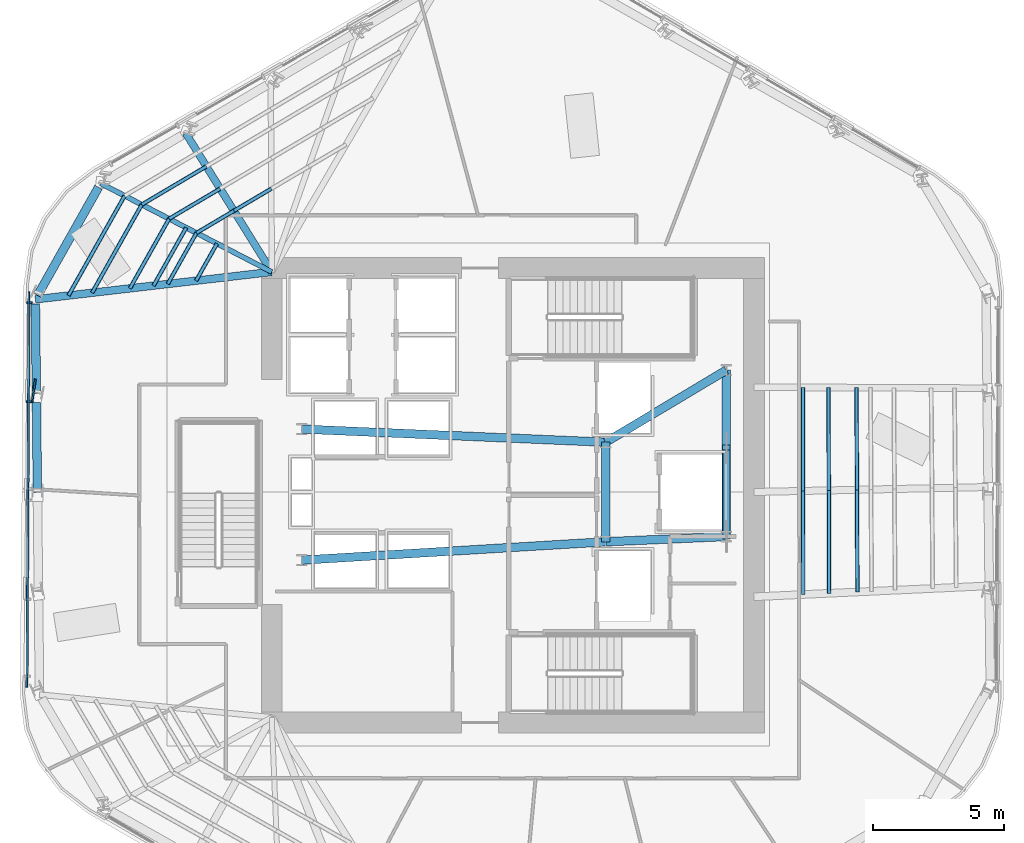
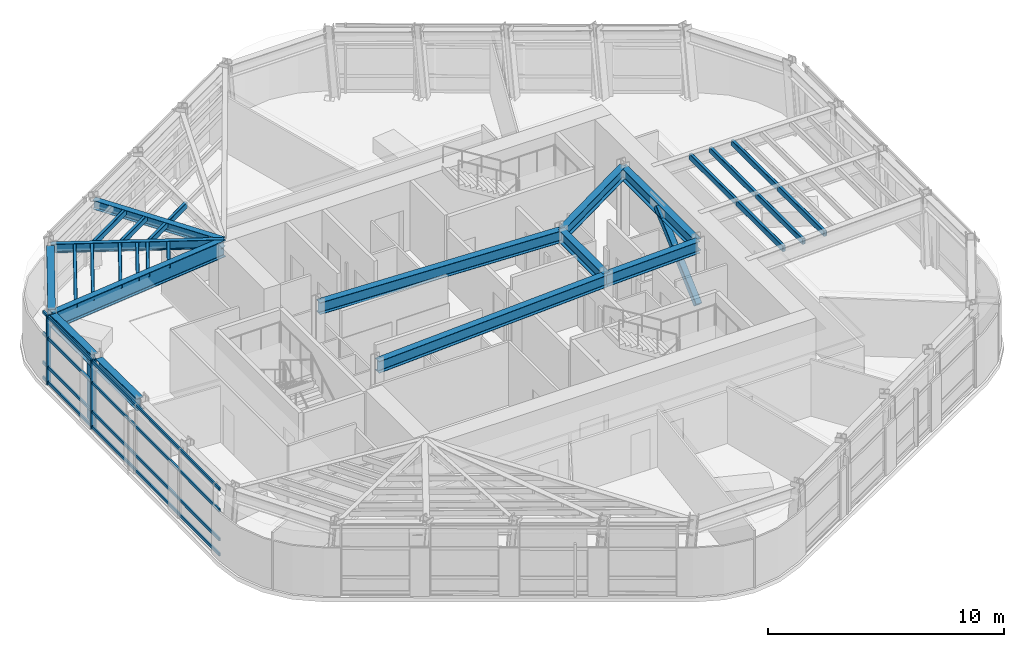
# One storey, part 4 of 16: 24 members, 12 beams, 1 element without a shape of its own.
"""IFC4 building model written with IfcOpenShell, lengths in metres."""

from ifc_helpers import new_model, si_unit, direction, frame, origin, origin_2d, place, context, subcontext, project, spatial, rectangle, hollow_rectangle, i_section, extrude, material, layer, layer_set, material_profile, profile_set, type_object, element, aggregate, save


model = new_model("IFC4")

# Units and contexts
model_context = context("Model", 3, precision=1e-05, world=origin(), true_north=direction((0.0, 1.0)))
body_context = subcontext(model_context, "Body", "Model", "MODEL_VIEW")
ifc_project = project(units=[si_unit("LENGTHUNIT", "METRE"), si_unit("AREAUNIT", "SQUARE_METRE"), si_unit("VOLUMEUNIT", "CUBIC_METRE"), si_unit("PLANEANGLEUNIT", "RADIAN"), si_unit("MASSUNIT", "GRAM", prefix="KILO")], contexts=[model_context])

# Site, building, storey
site_placement = place(None, origin())
site = spatial("IfcSite", under=ifc_project, at=site_placement, CompositionType="ELEMENT")
building_placement = place(site_placement, origin())
building = spatial("IfcBuilding", under=site, at=building_placement, Name="Valkerne Bourse Tower", CompositionType="ELEMENT")
storey_placement = place(building_placement, frame((0.0, 0.0, 151.39990234375)))
storey = spatial("IfcBuildingStorey", under=building, at=storey_placement, Name="L38", CompositionType="ELEMENT", Elevation=151.39990234375)

# Beams
ifc_material_1 = material(Name="Steel ASTM A992", Category="steel")
ifc_material_profile_1 = material_profile(ifc_material_1, i_section(OverallWidth=0.1904296875, OverallDepth=0.457275390625, WebThickness=0.009033203125, FlangeThickness=0.014404296875, FilletRadius=0.01513671875, at=origin_2d()), Name="W18X50")
ifc_profile_set_1 = profile_set([ifc_material_profile_1], Name="Steel ASTM A992")
beam_type_1 = type_object("IfcBeamType", Name="BM-W18X50", PredefinedType="JOIST", material=ifc_profile_set_1)
beam_1_placement = place(storey_placement, frame((31.072509765625, 38.777587890625, 3.3515625), z_axis=(0.88814284472, -0.459567500344, 0.0), x_axis=(0.459567500344, 0.88814284472, 0.0)))
element("IfcBeam", 1, at=beam_1_placement, inside=storey, type_object=beam_type_1, Name="L38 Radial Composite Floor Beam 09", PredefinedType="JOIST", context=body_context, shape_type="SweptSolid", body=[
    extrude(i_section(OverallWidth=0.1904296875, OverallDepth=0.457275390625, WebThickness=0.009033203125, FlangeThickness=0.014404296875, FilletRadius=0.01513671875, at=origin_2d()), origin(), (0.0, 0.0, 1.0), 7.349609375),
])
ifc_material_profile_2 = material_profile(ifc_material_1, i_section(OverallWidth=0.279296875, OverallDepth=0.46240234375, WebThickness=0.0107421875, FlangeThickness=0.017333984375, FilletRadius=0.017822265625, at=origin_2d()), Name="W18X76")
ifc_profile_set_2 = profile_set([ifc_material_profile_2], Name="Steel ASTM A992")
beam_type_2 = type_object("IfcBeamType", Name="BM-W18X76", PredefinedType="BEAM", material=ifc_profile_set_2)
beam_2_placement = place(storey_placement, frame((34.318603515625, 40.697021484375, 3.348876953125), z_axis=(0.526624355119, -0.850098105277, 0.0), x_axis=(0.850098105277, 0.526624355119, 0.0)))
element("IfcBeam", 2, at=beam_2_placement, inside=storey, type_object=beam_type_2, Name="L38 Radial Composite Floor Beam 08", PredefinedType="BEAM", context=body_context, shape_type="SweptSolid", body=[
    extrude(i_section(OverallWidth=0.279296875, OverallDepth=0.46240234375, WebThickness=0.0107421875, FlangeThickness=0.017333984375, FilletRadius=0.017822265625, at=origin_2d()), origin(), (0.0, 0.0, 1.0), 6.231201171875),
])
ifc_material_profile_3 = material_profile(ifc_material_1, i_section(OverallWidth=0.3251953125, OverallDepth=0.612060546875, WebThickness=0.0126953125, FlangeThickness=0.01904296875, FilletRadius=0.020263671875, at=origin_2d()), Name="W24X104")
ifc_profile_set_3 = profile_set([ifc_material_profile_3], Name="Steel ASTM A992")
beam_type_3 = type_object("IfcBeamType", Name="BM-W24X104", PredefinedType="BEAM", material=ifc_profile_set_3)
beam_3_placement = place(storey_placement, frame((50.35009765625, 25.10009765625, 3.27392578125), z_axis=(0.0, 1.0, 0.0), x_axis=(-1.0, 0.0, 0.0)))
element("IfcBeam", 3, at=beam_3_placement, inside=storey, type_object=beam_type_3, Name="L38 Core Frame Girder CG-CE", PredefinedType="BEAM", context=body_context, shape_type="SweptSolid", body=[
    extrude(i_section(OverallWidth=0.3251953125, OverallDepth=0.612060546875, WebThickness=0.0126953125, FlangeThickness=0.01904296875, FilletRadius=0.020263671875, at=origin_2d()), origin(), (0.0, 0.0, 1.0), 3.7998046875),
])
beam_4_placement = place(storey_placement, frame((50.35009765625, 25.10009765625, 3.27392578125), z_axis=(0.999056558506, 0.043428019819, 0.0), x_axis=(-0.043428019819, 0.999056558506, 0.0)))
element("IfcBeam", 4, at=beam_4_placement, inside=storey, type_object=beam_type_3, Name="L38 Core Frame Girder CG-SE", PredefinedType="BEAM", context=body_context, shape_type="SweptSolid", body=[
    extrude(i_section(OverallWidth=0.3251953125, OverallDepth=0.612060546875, WebThickness=0.0126953125, FlangeThickness=0.01904296875, FilletRadius=0.020263671875, at=origin_2d()), origin(), (0.0, 0.0, 1.0), 4.604248046875),
])
beam_5_placement = place(storey_placement, frame((50.35009765625, 28.89990234375, 3.27392578125), z_axis=(0.858307823492, 0.513135148019, 0.0), x_axis=(-0.513135148019, 0.858307823492, 0.0)))
element("IfcBeam", 5, at=beam_5_placement, inside=storey, type_object=beam_type_3, Name="L38 Core Frame Girder CG-NE", PredefinedType="BEAM", context=body_context, shape_type="SweptSolid", body=[
    extrude(i_section(OverallWidth=0.3251953125, OverallDepth=0.612060546875, WebThickness=0.0126953125, FlangeThickness=0.01904296875, FilletRadius=0.020263671875, at=origin_2d()), origin(), (0.0, 0.0, 1.0), 5.359130859375),
])
beam_6_placement = place(storey_placement, frame((54.949951171875, 25.300048828125, 3.27392578125), z_axis=(0.0, 1.0, 0.0), x_axis=(-1.0, 0.0, 0.0)))
element("IfcBeam", 6, at=beam_6_placement, inside=storey, type_object=beam_type_3, Name="L38 Core Frame Girder CG-EE", PredefinedType="BEAM", context=body_context, shape_type="SweptSolid", body=[
    extrude(i_section(OverallWidth=0.3251953125, OverallDepth=0.612060546875, WebThickness=0.0126953125, FlangeThickness=0.01904296875, FilletRadius=0.020263671875, at=origin_2d()), origin(), (0.0, 0.0, 1.0), 6.349853515625),
])
beam_7_placement = place(storey_placement, frame((38.75, 24.39990234375, 3.27392578125), z_axis=(0.998183228389, 0.060251494276, 0.0), x_axis=(-0.060251494276, 0.998183228389, 0.0)))
element("IfcBeam", 7, at=beam_7_placement, inside=storey, type_object=beam_type_3, Name="L38 Core Frame Girder CG-SW", PredefinedType="BEAM", context=body_context, shape_type="SweptSolid", body=[
    extrude(i_section(OverallWidth=0.3251953125, OverallDepth=0.612060546875, WebThickness=0.0126953125, FlangeThickness=0.01904296875, FilletRadius=0.020263671875, at=origin_2d()), origin(), (0.0, 0.0, 1.0), 11.62109375),
])
beam_8_placement = place(storey_placement, frame((38.75, 29.39990234375, 3.27392578125), z_axis=(0.999072354402, -0.043063101019, 0.0), x_axis=(0.043063101019, 0.999072354402, 0.0)))
element("IfcBeam", 8, at=beam_8_placement, inside=storey, type_object=beam_type_3, Name="L38 Core Frame Girder CG-NW", PredefinedType="BEAM", context=body_context, shape_type="SweptSolid", body=[
    extrude(i_section(OverallWidth=0.3251953125, OverallDepth=0.612060546875, WebThickness=0.0126953125, FlangeThickness=0.01904296875, FilletRadius=0.020263671875, at=origin_2d()), origin(), (0.0, 0.0, 1.0), 11.61083984375),
])
ifc_material_profile_4 = material_profile(ifc_material_1, i_section(OverallWidth=0.32763671875, OverallDepth=0.62744140625, WebThickness=0.0166015625, FlangeThickness=0.027587890625, FilletRadius=0.020263671875, at=origin_2d()), Name="W24X146")
ifc_profile_set_4 = profile_set([ifc_material_profile_4], Name="Steel ASTM A992")
beam_type_4 = type_object("IfcBeamType", Name="BM-W24X146", PredefinedType="SPANDREL", material=ifc_profile_set_4)
beam_9_placement = place(storey_placement, frame((30.989013671875, 38.62939453125, 3.266357421875), z_axis=(-0.490860253892, -0.871238320524, 0.0), x_axis=(0.871238320524, -0.490860253892, 0.0)))
element("IfcBeam", 9, at=beam_9_placement, inside=storey, type_object=beam_type_4, Name="L38 Hexagonal Spandrel Ring Beam 09", PredefinedType="SPANDREL", context=body_context, shape_type="SweptSolid", body=[
    extrude(i_section(OverallWidth=0.32763671875, OverallDepth=0.62744140625, WebThickness=0.0166015625, FlangeThickness=0.027587890625, FilletRadius=0.020263671875, at=origin_2d()), origin(), (0.0, 0.0, 1.0), 4.739990234375),
])
for number, where, z_axis, x_axis, name in (
    (10, (28.58056640625, 34.181640625, 3.266357421875), (0.010459827673, -0.999945294506, 0.0), (0.999945294506, 0.010459827673, 0.0), "L38 Hexagonal Spandrel Ring Beam 10"),
    (11, (28.6201171875, 30.410888671875, 3.266357421875), (0.010459827673, -0.999945294506, 0.0), (0.999945294506, 0.010459827673, 0.0), "L38 Hexagonal Spandrel Ring Beam 11"),
):
    element("IfcBeam", number, at=place(storey_placement, frame(where, z_axis=z_axis, x_axis=x_axis)), inside=storey, type_object=beam_type_4, Name=name, PredefinedType="SPANDREL", context=body_context, shape_type="SweptSolid", body=[
        extrude(i_section(OverallWidth=0.32763671875, OverallDepth=0.62744140625, WebThickness=0.0166015625, FlangeThickness=0.027587890625, FilletRadius=0.020263671875, at=origin_2d()), origin(), (0.0, 0.0, 1.0), 3.43115234375),
    ])
ifc_material_profile_5 = material_profile(ifc_material_1, i_section(OverallWidth=0.2919921875, OverallDepth=0.8583984375, WebThickness=0.01708984375, FlangeThickness=0.031005859375, FilletRadius=0.025390625, at=origin_2d()), Name="W33X169")
ifc_profile_set_5 = profile_set([ifc_material_profile_5], Name="Steel ASTM A992")
beam_type_5 = type_object("IfcBeamType", Name="BM-W33X169", PredefinedType="BEAM", material=ifc_profile_set_5)
beam_10_placement = place(storey_placement, frame((28.578857421875, 34.3515625, 3.15087890625), z_axis=(0.99331548261, 0.115431157001, 0.0), x_axis=(-0.115431157001, 0.99331548261, 0.0)))
element("IfcBeam", 12, at=beam_10_placement, inside=storey, type_object=beam_type_5, Name="L38 Radial Composite Floor Beam 10", PredefinedType="BEAM", context=body_context, shape_type="SweptSolid", body=[
    extrude(i_section(OverallWidth=0.2919921875, OverallDepth=0.8583984375, WebThickness=0.01708984375, FlangeThickness=0.031005859375, FilletRadius=0.025390625, at=origin_2d()), origin(), (0.0, 0.0, 1.0), 9.08203125),
])

# Curtain wall, members
ifc_material_2 = material(Name="Aluminium AA 6063-T6", Category="aluminium")
ifc_layer = layer(ifc_material_2, 0.235107421875)
ifc_layer_set = layer_set([ifc_layer], Name="Aluminium AA 6063-T6")
curtain_wall_type = type_object("IfcCurtainWallType", Name="CW-03", PredefinedType="NOTDEFINED", material=ifc_layer_set)
curtain_wall_placement = place(storey_placement, origin())
curtain_wall = element("IfcCurtainWall", 13, at=curtain_wall_placement, inside=storey, type_object=curtain_wall_type, Name="L38 Hexagonal Stick Curtain Wall Face 3", PredefinedType="NOTDEFINED")
ifc_material_profile_6 = material_profile(ifc_material_2, rectangle(XDim=0.074951171875, YDim=0.199951171875, at=origin_2d()), Name="CWM-75X200")
ifc_profile_set_6 = profile_set([ifc_material_profile_6], Name="Aluminium AA 6063-T6")
member_type_1 = type_object("IfcMemberType", Name="CW-MUL-220X75", PredefinedType="MULLION", material=ifc_profile_set_6)
member_1_placement = place(storey_placement, frame((28.354248046875, 34.21875, 0.0), z_axis=(0.0, 0.0, 1.0), x_axis=(-0.005224007215, -0.999986354781, 0.0)))
member_1 = element("IfcMember", 14, at=member_1_placement, type_object=member_type_1, Name="CW-L38-F3 Jamb Mullion 00A", PredefinedType="MULLION", context=body_context, shape_type="SweptSolid", body=[
    extrude(rectangle(XDim=0.074951171875, YDim=0.199951171875, at=origin_2d()), origin(), (0.0, 0.0, 1.0), 3.580078125),
])
member_2_placement = place(storey_placement, frame((28.334716796875, 30.44775390625, 0.0), z_axis=(0.0, 0.0, 1.0), x_axis=(-0.005250663525, -0.999986215171, 0.0)))
member_2 = element("IfcMember", 15, at=member_2_placement, type_object=member_type_1, Name="CW-L38-F3 Jamb Mullion 01A", PredefinedType="MULLION", context=body_context, shape_type="SweptSolid", body=[
    extrude(rectangle(XDim=0.074951171875, YDim=0.199951171875, at=origin_2d()), origin(), (0.0, 0.0, 1.0), 3.580078125),
])
ifc_material_profile_7 = material_profile(ifc_material_2, rectangle(XDim=0.074951171875, YDim=0.14990234375, at=origin_2d()), Name="CWT-75X150")
ifc_profile_set_7 = profile_set([ifc_material_profile_7], Name="Aluminium AA 6063-T6")
member_type_2 = type_object("IfcMemberType", Name="CW-TRN-180X65", PredefinedType="USERDEFINED", material=ifc_profile_set_7)
member_3_placement = place(storey_placement, frame((28.33642578125, 34.638916015625, 0.1201171875), z_axis=(-0.005227819276, -0.999986334859, 0.0), x_axis=(0.999986334859, -0.005227819276, 0.0)))
member_3 = element("IfcMember", 16, at=member_3_placement, type_object=member_type_2, Name="CW-L38-F3 Continuous Face Transom 1", ObjectType="TRANSOM", PredefinedType="USERDEFINED", context=body_context, shape_type="SweptSolid", body=[
    extrude(rectangle(XDim=0.074951171875, YDim=0.14990234375, at=origin_2d()), origin(), (0.0, 0.0, 1.0), 15.084228515625),
])
member_4_placement = place(storey_placement, frame((28.33642578125, 34.638916015625, 0.900146484375), z_axis=(-0.005227819276, -0.999986334859, 0.0), x_axis=(0.999986334859, -0.005227819276, 0.0)))
member_4 = element("IfcMember", 17, at=member_4_placement, type_object=member_type_2, Name="CW-L38-F3 Continuous Face Transom 2", ObjectType="TRANSOM", PredefinedType="USERDEFINED", context=body_context, shape_type="SweptSolid", body=[
    extrude(rectangle(XDim=0.074951171875, YDim=0.14990234375, at=origin_2d()), origin(), (0.0, 0.0, 1.0), 15.084228515625),
])
member_5_placement = place(storey_placement, frame((28.33642578125, 34.638916015625, 2.400146484375), z_axis=(-0.005227819276, -0.999986334859, 0.0), x_axis=(0.999986334859, -0.005227819276, 0.0)))
member_5 = element("IfcMember", 18, at=member_5_placement, type_object=member_type_2, Name="CW-L38-F3 Continuous Face Transom 3", ObjectType="TRANSOM", PredefinedType="USERDEFINED", context=body_context, shape_type="SweptSolid", body=[
    extrude(rectangle(XDim=0.074951171875, YDim=0.14990234375, at=origin_2d()), origin(), (0.0, 0.0, 1.0), 15.084228515625),
])
member_6_placement = place(storey_placement, frame((28.33642578125, 34.638916015625, 3.5), z_axis=(-0.005227819276, -0.999986334859, 0.0), x_axis=(0.999986334859, -0.005227819276, 0.0)))
member_6 = element("IfcMember", 19, at=member_6_placement, type_object=member_type_2, Name="CW-L38-F3 Continuous Face Transom 4", ObjectType="TRANSOM", PredefinedType="USERDEFINED", context=body_context, shape_type="SweptSolid", body=[
    extrude(rectangle(XDim=0.074951171875, YDim=0.14990234375, at=origin_2d()), origin(), (0.0, 0.0, 1.0), 15.084228515625),
])
aggregate(curtain_wall, [member_3, member_4, member_5, member_6, member_1, member_2])

# Members
ifc_material_3 = material(Name="Bronze Anodised Aluminium AA 6063-T6", Category="aluminium")
ifc_material_profile_8 = material_profile(ifc_material_3, rectangle(XDim=0.070068359375, YDim=0.89990234375, at=origin_2d()), Name="FIN-70X900")
ifc_profile_set_8 = profile_set([ifc_material_profile_8], Name="Bronze Anodised Aluminium AA 6063-T6")
member_type_3 = type_object("IfcMemberType", Name="FIN-SOLAR-900", PredefinedType="USERDEFINED", material=ifc_profile_set_8)
member_7_placement = place(storey_placement, frame((28.516845703125, 30.86669921875, 0.004150390625), z_axis=(0.0, 0.0, 1.0), x_axis=(-0.990298811349, 0.138954180364, 0.0)))
element("IfcMember", 20, at=member_7_placement, inside=storey, type_object=member_type_3, Name="L38 Bronze Anodised Solar Fin F3-01", ObjectType="SOLAR_FIN", PredefinedType="USERDEFINED", context=body_context, shape_type="SweptSolid", body=[
    extrude(rectangle(XDim=0.070068359375, YDim=0.89990234375, at=origin_2d()), origin(), (0.0, 0.0, 1.0), 3.572021484375),
])
ifc_material_4 = material(Name="Steel ASTM A500 Grade C", Category="steel")
ifc_material_profile_9 = material_profile(ifc_material_4, hollow_rectangle(XDim=0.14990234375, YDim=0.300048828125, WallThickness=0.012451171875, OuterFilletRadius=0.02490234375, at=origin_2d()), Name="HSS300X150X12.5")
ifc_profile_set_9 = profile_set([ifc_material_profile_9], Name="Steel ASTM A500 Grade C")
member_type_4 = type_object("IfcMemberType", Name="MBR-HSS300X150X12.5", PredefinedType="PURLIN", material=ifc_profile_set_9)
member_8_placement = place(storey_placement, frame((35.51123046875, 36.480712890625, 3.420166015625), z_axis=(-0.490938461362, -0.871194253399, 0.0), x_axis=(0.871194253399, -0.490938461362, 0.0)))
element("IfcMember", 21, at=member_8_placement, inside=storey, type_object=member_type_4, Name="L38 Secondary Composite Floor Purlin I-09", PredefinedType="PURLIN", context=body_context, shape_type="SweptSolid", body=[
    extrude(hollow_rectangle(XDim=0.14990234375, YDim=0.300048828125, WallThickness=0.012451171875, OuterFilletRadius=0.02490234375, at=origin_2d()), origin(), (0.0, 0.0, 1.0), 1.625732421875),
])
for number, where, z_axis, x_axis, name in (
    (22, (58.8740234375, 23.134033203125, 3.420166015625), (-0.003170837081, 0.999994972883, 0.0), (-0.999994972883, -0.003170837081, 0.0), "L38 Secondary Composite Floor Purlin I-26"),
    (23, (58.861572265625, 27.060791015625, 3.420166015625), (-0.003233009714, 0.99999477381, 0.0), (-0.99999477381, -0.003233009714, 0.0), "L38 Secondary Composite Floor Purlin I-27"),
):
    element("IfcMember", number, at=place(storey_placement, frame(where, z_axis=z_axis, x_axis=x_axis)), inside=storey, type_object=member_type_4, Name=name, PredefinedType="PURLIN", context=body_context, shape_type="SweptSolid", body=[
        extrude(hollow_rectangle(XDim=0.14990234375, YDim=0.300048828125, WallThickness=0.012451171875, OuterFilletRadius=0.02490234375, at=origin_2d()), origin(), (0.0, 0.0, 1.0), 3.9267578125),
    ])
member_9_placement = place(storey_placement, frame((37.584228515625, 38.5751953125, 3.420166015625), z_axis=(-0.86078588712, -0.508967245051, 0.0), x_axis=(0.508967245051, -0.86078588712, 0.0)))
element("IfcMember", 24, at=member_9_placement, inside=storey, type_object=member_type_4, Name="L38 Secondary Composite Floor Purlin K-07", PredefinedType="PURLIN", context=body_context, shape_type="SweptSolid", body=[
    extrude(hollow_rectangle(XDim=0.14990234375, YDim=0.300048828125, WallThickness=0.012451171875, OuterFilletRadius=0.02490234375, at=origin_2d()), origin(), (0.0, 0.0, 1.0), 1.6591796875),
])
member_10_placement = place(storey_placement, frame((36.156005859375, 37.730712890625, 3.420166015625), z_axis=(-0.860721420007, -0.509076258671, 0.0), x_axis=(0.509076258671, -0.860721420007, 0.0)))
element("IfcMember", 25, at=member_10_placement, inside=storey, type_object=member_type_4, Name="L38 Secondary Composite Floor Purlin K-08", PredefinedType="PURLIN", context=body_context, shape_type="SweptSolid", body=[
    extrude(hollow_rectangle(XDim=0.14990234375, YDim=0.300048828125, WallThickness=0.012451171875, OuterFilletRadius=0.02490234375, at=origin_2d()), origin(), (0.0, 0.0, 1.0), 1.659423828125),
])
member_11_placement = place(storey_placement, frame((34.727783203125, 36.885986328125, 3.420166015625), z_axis=(-0.490883438787, -0.871225257625, 0.0), x_axis=(0.871225257625, -0.490883438787, 0.0)))
element("IfcMember", 26, at=member_11_placement, inside=storey, type_object=member_type_4, Name="L38 Secondary Composite Floor Purlin K-09", PredefinedType="PURLIN", context=body_context, shape_type="SweptSolid", body=[
    extrude(hollow_rectangle(XDim=0.14990234375, YDim=0.300048828125, WallThickness=0.012451171875, OuterFilletRadius=0.02490234375, at=origin_2d()), origin(), (0.0, 0.0, 1.0), 2.235107421875),
])
member_12_placement = place(storey_placement, frame((59.951904296875, 23.184326171875, 3.420166015625), z_axis=(-0.004445513645, 0.999990118655, 0.0), x_axis=(-0.999990118655, -0.004445513645, 0.0)))
element("IfcMember", 27, at=member_12_placement, inside=storey, type_object=member_type_4, Name="L38 Secondary Composite Floor Purlin K-26", PredefinedType="PURLIN", context=body_context, shape_type="SweptSolid", body=[
    extrude(hollow_rectangle(XDim=0.14990234375, YDim=0.300048828125, WallThickness=0.012451171875, OuterFilletRadius=0.02490234375, at=origin_2d()), origin(), (0.0, 0.0, 1.0), 3.899169921875),
])
member_13_placement = place(storey_placement, frame((59.9345703125, 27.08349609375, 3.420166015625), z_axis=(-0.004445235319, 0.999990119893, 0.0), x_axis=(-0.999990119893, -0.004445235319, 0.0)))
element("IfcMember", 28, at=member_13_placement, inside=storey, type_object=member_type_4, Name="L38 Secondary Composite Floor Purlin K-27", PredefinedType="PURLIN", context=body_context, shape_type="SweptSolid", body=[
    extrude(hollow_rectangle(XDim=0.14990234375, YDim=0.300048828125, WallThickness=0.012451171875, OuterFilletRadius=0.02490234375, at=origin_2d()), origin(), (0.0, 0.0, 1.0), 3.8994140625),
])
member_14_placement = place(storey_placement, frame((34.336181640625, 37.0888671875, 3.420166015625), z_axis=(-0.490840651312, -0.87124936443, 0.0), x_axis=(0.87124936443, -0.490840651312, 0.0)))
element("IfcMember", 29, at=member_14_placement, inside=storey, type_object=member_type_4, Name="L38 Secondary Composite Floor Purlin M-09", PredefinedType="PURLIN", context=body_context, shape_type="SweptSolid", body=[
    extrude(hollow_rectangle(XDim=0.14990234375, YDim=0.300048828125, WallThickness=0.012451171875, OuterFilletRadius=0.02490234375, at=origin_2d()), origin(), (0.0, 0.0, 1.0), 2.540283203125),
])
member_15_placement = place(storey_placement, frame((35.106201171875, 39.42578125, 3.420166015625), z_axis=(-0.860745025468, -0.509036345591, 0.0), x_axis=(0.509036345591, -0.860745025468, 0.0)))
element("IfcMember", 30, at=member_15_placement, inside=storey, type_object=member_type_4, Name="L38 Secondary Composite Floor Purlin O-08", PredefinedType="PURLIN", context=body_context, shape_type="SweptSolid", body=[
    extrude(hollow_rectangle(XDim=0.14990234375, YDim=0.300048828125, WallThickness=0.012451171875, OuterFilletRadius=0.02490234375, at=origin_2d()), origin(), (0.0, 0.0, 1.0), 2.8662109375),
])
member_16_placement = place(storey_placement, frame((32.63916015625, 37.966796875, 3.420166015625), z_axis=(-0.490906607534, -0.871212203013, 0.0), x_axis=(0.871212203013, -0.490906607534, 0.0)))
element("IfcMember", 31, at=member_16_placement, inside=storey, type_object=member_type_4, Name="L38 Secondary Composite Floor Purlin O-09", PredefinedType="PURLIN", context=body_context, shape_type="SweptSolid", body=[
    extrude(hollow_rectangle(XDim=0.14990234375, YDim=0.300048828125, WallThickness=0.012451171875, OuterFilletRadius=0.02490234375, at=origin_2d()), origin(), (0.0, 0.0, 1.0), 3.86083984375),
])
member_17_placement = place(storey_placement, frame((35.631103515625, 38.578125, 3.420166015625), z_axis=(-0.860769667692, -0.508994675003, 0.0), x_axis=(0.508994675003, -0.860769667692, 0.0)))
element("IfcMember", 32, at=member_17_placement, inside=storey, type_object=member_type_4, Name="L38 Secondary Composite Floor Purlin Z-08", PredefinedType="PURLIN", context=body_context, shape_type="SweptSolid", body=[
    extrude(hollow_rectangle(XDim=0.14990234375, YDim=0.300048828125, WallThickness=0.012451171875, OuterFilletRadius=0.02490234375, at=origin_2d()), origin(), (0.0, 0.0, 1.0), 2.262451171875),
])
member_18_placement = place(storey_placement, frame((33.68359375, 37.426513671875, 3.420166015625), z_axis=(-0.490911382093, -0.87120951265, 0.0), x_axis=(0.87120951265, -0.490911382093, 0.0)))
element("IfcMember", 33, at=member_18_placement, inside=storey, type_object=member_type_4, Name="L38 Secondary Composite Floor Purlin Z-09", PredefinedType="PURLIN", context=body_context, shape_type="SweptSolid", body=[
    extrude(hollow_rectangle(XDim=0.14990234375, YDim=0.300048828125, WallThickness=0.012451171875, OuterFilletRadius=0.02490234375, at=origin_2d()), origin(), (0.0, 0.0, 1.0), 3.048095703125),
])
for number, where, z_axis, x_axis, name in (
    (34, (57.88623046875, 23.087890625, 3.420166015625), (-0.002100446346, 0.99999779406, 0.0), (-0.99999779406, -0.002100446346, 0.0), "L38 Secondary Composite Floor Purlin S-26"),
    (35, (57.8779296875, 27.039794921875, 3.420166015625), (-0.002100446346, 0.99999779406, 0.0), (-0.99999779406, -0.002100446346, 0.0), "L38 Secondary Composite Floor Purlin S-27"),
):
    element("IfcMember", number, at=place(storey_placement, frame(where, z_axis=z_axis, x_axis=x_axis)), inside=storey, type_object=member_type_4, Name=name, PredefinedType="PURLIN", context=body_context, shape_type="SweptSolid", body=[
        extrude(hollow_rectangle(XDim=0.14990234375, YDim=0.300048828125, WallThickness=0.012451171875, OuterFilletRadius=0.02490234375, at=origin_2d()), origin(), (0.0, 0.0, 1.0), 3.951904296875),
    ])
member_19_placement = place(storey_placement, frame((31.986328125, 38.3046875, 3.420166015625), z_axis=(-0.490858072242, -0.871239549673, 0.0), x_axis=(0.871239549673, -0.490858072242, 0.0)))
element("IfcMember", 36, at=member_19_placement, inside=storey, type_object=member_type_4, Name="L38 Secondary Composite Floor Purlin T-09", PredefinedType="PURLIN", context=body_context, shape_type="SweptSolid", body=[
    extrude(hollow_rectangle(XDim=0.14990234375, YDim=0.300048828125, WallThickness=0.012451171875, OuterFilletRadius=0.02490234375, at=origin_2d()), origin(), (0.0, 0.0, 1.0), 4.368896484375),
])
ifc_material_profile_10 = material_profile(ifc_material_4, hollow_rectangle(XDim=0.300048828125, YDim=0.300048828125, WallThickness=0.012451171875, OuterFilletRadius=0.02490234375, at=origin_2d()), Name="HSS300X300X12.5")
ifc_profile_set_10 = profile_set([ifc_material_profile_10], Name="Steel ASTM A500 Grade C")
member_type_5 = type_object("IfcMemberType", Name="MBR-HSS300X300X12.5", PredefinedType="STRUT", material=ifc_profile_set_10)
member_20_placement = place(storey_placement, frame((54.949951171875, 25.300048828125, 0.22021484375), z_axis=(0.0, 0.743968491622, 0.668214698636), x_axis=(-1.0, 0.0, 0.0)))
element("IfcMember", 37, at=member_20_placement, inside=storey, type_object=member_type_5, Name="L38 Core Service Pier Lateral Brace", PredefinedType="STRUT", context=body_context, shape_type="SweptSolid", body=[
    extrude(hollow_rectangle(XDim=0.300048828125, YDim=0.300048828125, WallThickness=0.012451171875, OuterFilletRadius=0.02490234375, at=origin_2d()), origin(), (0.0, 0.0, 1.0), 4.570068359375),
])

save(model, "model.ifc")
